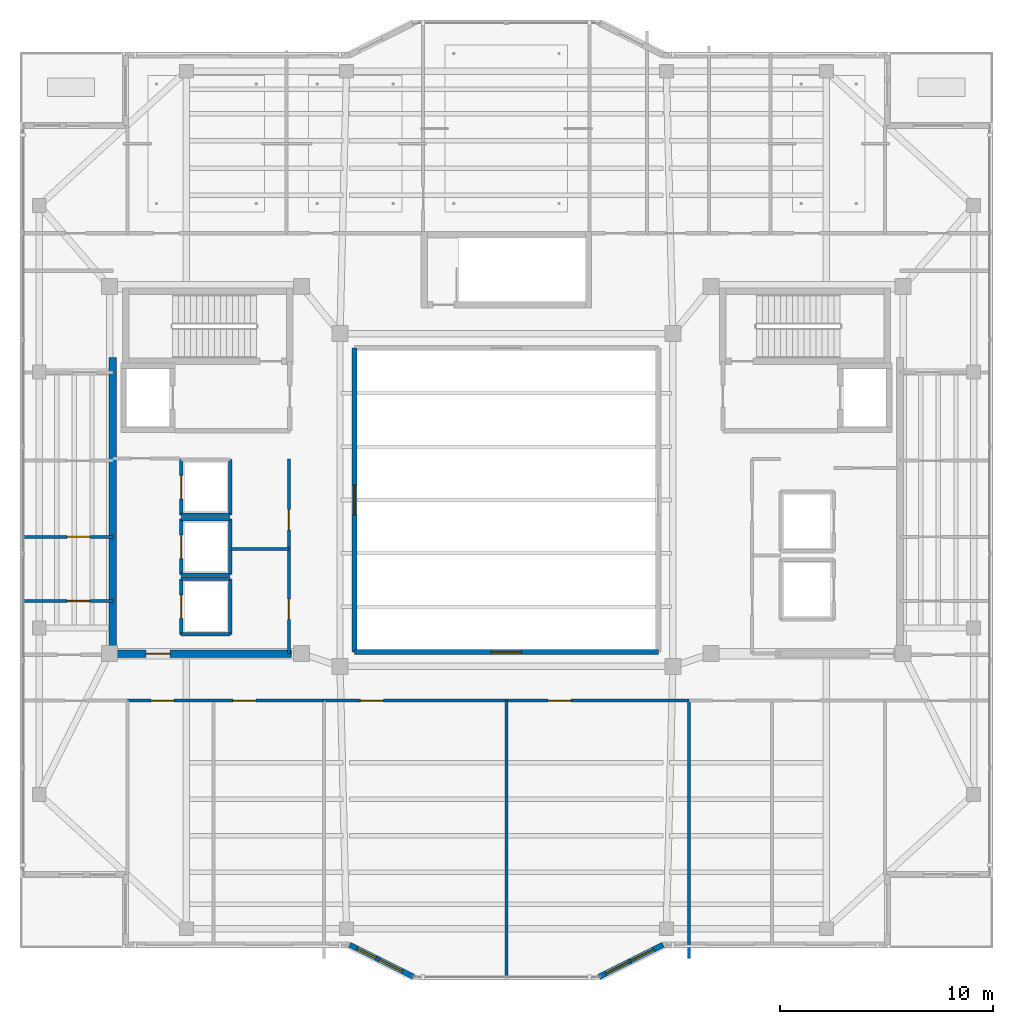
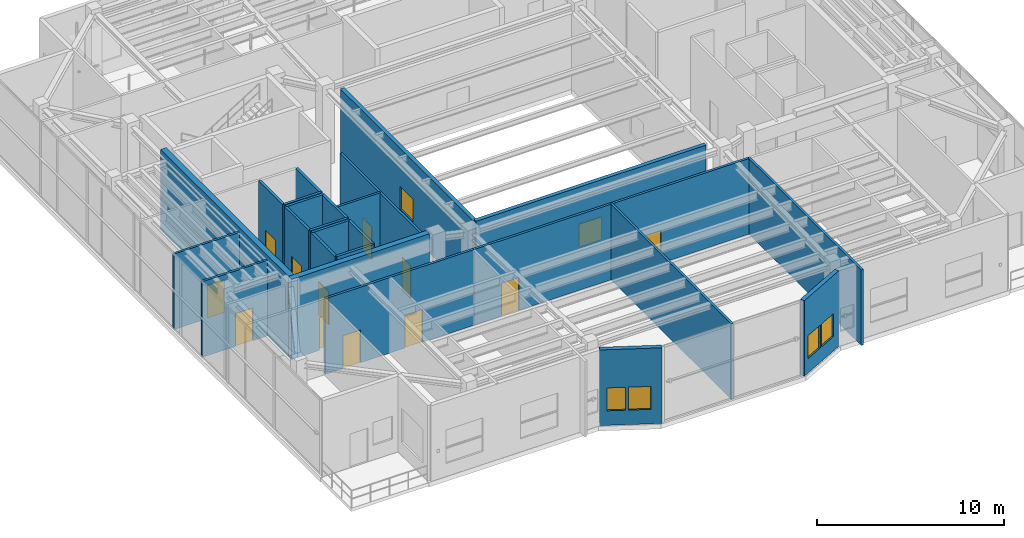
# One storey, part 14 of 23: 25 walls, 12 doors, 6 windows, 18 openings.
"""IFC4 building model written with IfcOpenShell, lengths in metres."""

from ifc_helpers import new_model, si_unit, direction, frame, frame_2d, origin, place, context, subcontext, project, spatial, rectangle, extrude, material, layer, layer_set, type_object, element, fill, save


model = new_model("IFC4")

# Units and contexts
model_context = context("Model", 3, precision=1e-05, world=origin(), true_north=direction((0.0, 1.0)))
body_context = subcontext(model_context, "Body", "Model", "MODEL_VIEW")
ifc_project = project(units=[si_unit("LENGTHUNIT", "METRE"), si_unit("AREAUNIT", "SQUARE_METRE"), si_unit("VOLUMEUNIT", "CUBIC_METRE"), si_unit("PLANEANGLEUNIT", "RADIAN"), si_unit("MASSUNIT", "GRAM", prefix="KILO")], contexts=[model_context])

# Site, building, storey
site_placement = place(None, origin())
site = spatial("IfcSite", under=ifc_project, at=site_placement, CompositionType="ELEMENT")
building_placement = place(site_placement, origin())
building = spatial("IfcBuilding", under=site, at=building_placement, Name="Tarnavaz Court Tower", CompositionType="ELEMENT")
storey_placement = place(building_placement, frame((0.0, 0.0, 276.300048828125)))
storey = spatial("IfcBuildingStorey", under=building, at=storey_placement, Name="L75", CompositionType="ELEMENT", Elevation=276.300048828125)

# Wall
ifc_material_1 = material(Name="Concrete C50/60", Category="concrete")
ifc_layer_1 = layer(ifc_material_1, 0.35009765625)
ifc_layer_set_1 = layer_set([ifc_layer_1], Name="Concrete C50/60")
wall_type_1 = type_object("IfcWallType", Name="WL-CORE-350-C50", PredefinedType="SHEAR", material=ifc_layer_set_1)
wall_1_placement = place(storey_placement, frame((-18.449951171875, -7.375, 0.0), z_axis=(0.0, 0.0, 1.0), x_axis=(0.0, 1.0, 0.0)))
element("IfcWall", 1, at=wall_1_placement, inside=storey, type_object=wall_type_1, Name="L75 West Core Shear Wall 045", PredefinedType="SHEAR", context=body_context, shape_type="SweptSolid", body=[
    extrude(rectangle(XDim=14.050048828125, YDim=0.35009765625, at=frame_2d((7.02490234375, 0.0))), origin(), (0.0, 0.0, 1.0), 5.25),
])

# Wall, opening, door
wall_2_placement = place(storey_placement, frame((-18.625, -7.199951171875, 0.0), z_axis=(0.0, 0.0, 1.0), x_axis=(1.0, 0.0, 0.0)))
wall_2 = element("IfcWall", 2, at=wall_2_placement, inside=storey, type_object=wall_type_1, Name="L75 West Core South Shear Wall 046", PredefinedType="SHEAR", context=body_context, shape_type="SweptSolid", body=[
    extrude(rectangle(XDim=8.550048828125, YDim=0.35009765625, at=frame_2d((4.27490234375, 0.0))), origin(), (0.0, 0.0, 1.0), 5.25),
])
opening_1_placement = place(wall_2_placement, frame((1.72509765625, 0.0, 0.0)))
opening_1 = element("IfcOpeningElement", 3, at=opening_1_placement, cuts=wall_2, Name="Opening D04", PredefinedType="OPENING", context=body_context, shape_type="SweptSolid", body=[
    extrude(rectangle(XDim=1.1201171875, YDim=2.14990234375, at=frame_2d((0.56005859375, 1.074951171875))), frame((0.0, 0.18505859375, 0.0), z_axis=(0.0, -1.0, 0.0), x_axis=(1.0, 0.0, 0.0)), (0.0, 0.0, 1.0), 0.3701171875),
])
ifc_material_2 = material(Name="Fire-Rated Hardwood Timber Core", Category="wood")
door_type_1 = type_object("IfcDoorType", Name="DR-FD60-1100", OperationType="NOTDEFINED", PredefinedType="DOOR", material=ifc_material_2)
door_1_placement = place(opening_1_placement, origin())
door_1 = element("IfcDoor", 4, at=door_1_placement, inside=storey, type_object=door_type_1, Name="L75 West High-Rise Lift Lobby Door", OperationType="SINGLE_SWING_LEFT", OverallHeight=2.14990234375, OverallWidth=1.1201171875, PredefinedType="DOOR", context=body_context, shape_type="SweptSolid", body=[
    extrude(rectangle(XDim=1.1201171875, YDim=2.14990234375, at=frame_2d((0.56005859375, 1.074951171875))), frame((0.0, 0.02490234375, 0.0), z_axis=(0.0, -1.0, 0.0), x_axis=(1.0, 0.0, 0.0)), (0.0, 0.0, 1.0), 0.050048828125),
])
fill(opening_1, door_1)

# Wall, openings, windows
ifc_material_3 = material(Name="Precast Concrete C40/50", Category="concrete")
ifc_layer_2 = layer(ifc_material_3, 0.260009765625)
ifc_layer_set_2 = layer_set([ifc_layer_2], Name="Precast Concrete C40/50")
wall_type_2 = type_object("IfcWallType", Name="WL-EXT-260", PredefinedType="SOLIDWALL", material=ifc_layer_set_2)
wall_3_placement = place(storey_placement, frame((7.35009765625, -20.85009765625, 0.0), z_axis=(0.0, 0.0, 1.0), x_axis=(-0.894427191, -0.4472135955, 0.0)))
wall_3 = element("IfcWall", 5, at=wall_3_placement, inside=storey, type_object=wall_type_2, Name="L75 Exterior Terracotta Facade Wall 16", PredefinedType="SOLIDWALL", context=body_context, shape_type="SweptSolid", body=[
    extrude(rectangle(XDim=3.35400390625, YDim=0.260009765625, at=frame_2d((1.677001953125, 0.0))), origin(), (0.0, 0.0, 1.0), 4.949951171875),
])
opening_2_placement = place(wall_3_placement, frame((0.501220703125, 0.0, 0.949951171875)))
opening_2 = element("IfcOpeningElement", 6, at=opening_2_placement, cuts=wall_3, Name="Opening W05", PredefinedType="OPENING", context=body_context, shape_type="SweptSolid", body=[
    extrude(rectangle(XDim=1.199951171875, YDim=1.5, at=frame_2d((0.60009765625, 0.75))), frame((0.0, 0.139892578125, 0.0), z_axis=(0.0, -1.0, 0.0), x_axis=(1.0, 0.0, 0.0)), (0.0, 0.0, 1.0), 0.280029296875),
])
opening_3_placement = place(wall_3_placement, frame((1.8076171875, 0.0, 0.949951171875)))
opening_3 = element("IfcOpeningElement", 7, at=opening_3_placement, cuts=wall_3, Name="Opening W05", PredefinedType="OPENING", context=body_context, shape_type="SweptSolid", body=[
    extrude(rectangle(XDim=1.199951171875, YDim=1.5, at=frame_2d((0.60009765625, 0.75))), frame((0.0, 0.139892578125, 0.0), z_axis=(0.0, -1.0, 0.0), x_axis=(1.0, 0.0, 0.0)), (0.0, 0.0, 1.0), 0.280029296875),
])
ifc_material_4 = material(Name="Double-Glazed Solar Low-E Glass", Category="glass")
window_type_1 = type_object("IfcWindowType", Name="WN-APT-1200", PartitioningType="SINGLE_PANEL", PredefinedType="WINDOW", material=ifc_material_4)
window_1_placement = place(opening_2_placement, origin())
window_1 = element("IfcWindow", 8, at=window_1_placement, inside=storey, type_object=window_type_1, Name="L75 L75 South-East Music and Arts Studio Window", OverallHeight=1.5, OverallWidth=1.199951171875, PartitioningType="SINGLE_PANEL", PredefinedType="WINDOW", context=body_context, shape_type="SweptSolid", body=[
    extrude(rectangle(XDim=1.199951171875, YDim=1.5, at=frame_2d((0.60009765625, 0.75))), frame((0.0, 0.030029296875, 0.0), z_axis=(0.0, -1.0, 0.0), x_axis=(1.0, 0.0, 0.0)), (0.0, 0.0, 1.0), 0.06005859375),
])
fill(opening_2, window_1)
window_2_placement = place(opening_3_placement, origin())
window_2 = element("IfcWindow", 9, at=window_2_placement, inside=storey, type_object=window_type_1, Name="L75 L75 South Iwan Lookout Prow Window", OverallHeight=1.5, OverallWidth=1.199951171875, PartitioningType="SINGLE_PANEL", PredefinedType="WINDOW", context=body_context, shape_type="SweptSolid", body=[
    extrude(rectangle(XDim=1.199951171875, YDim=1.5, at=frame_2d((0.60009765625, 0.75))), frame((0.0, 0.030029296875, 0.0), z_axis=(0.0, -1.0, 0.0), x_axis=(1.0, 0.0, 0.0)), (0.0, 0.0, 1.0), 0.06005859375),
])
fill(opening_3, window_2)

wall_4_placement = place(storey_placement, frame((-4.35009765625, -22.35009765625, 0.0), z_axis=(0.0, 0.0, 1.0), x_axis=(-0.894427191, 0.4472135955, 0.0)))
wall_4 = element("IfcWall", 10, at=wall_4_placement, inside=storey, type_object=wall_type_2, Name="L75 Exterior Terracotta Facade Wall 18", PredefinedType="SOLIDWALL", context=body_context, shape_type="SweptSolid", body=[
    extrude(rectangle(XDim=3.35400390625, YDim=0.260009765625, at=frame_2d((1.677001953125, 0.0))), origin(), (0.0, 0.0, 1.0), 4.949951171875),
])
opening_4_placement = place(wall_4_placement, frame((0.596435546875, 0.0, 0.949951171875)))
opening_4 = element("IfcOpeningElement", 11, at=opening_4_placement, cuts=wall_4, Name="Opening W05", PredefinedType="OPENING", context=body_context, shape_type="SweptSolid", body=[
    extrude(rectangle(XDim=1.199951171875, YDim=1.5, at=frame_2d((0.60009765625, 0.75))), frame((0.0, 0.139892578125, 0.0), z_axis=(0.0, -1.0, 0.0), x_axis=(1.0, 0.0, 0.0)), (0.0, 0.0, 1.0), 0.280029296875),
])
opening_5_placement = place(wall_4_placement, frame((1.955322265625, 0.0, 0.949951171875)))
opening_5 = element("IfcOpeningElement", 12, at=opening_5_placement, cuts=wall_4, Name="Opening W14", PredefinedType="OPENING", context=body_context, shape_type="SweptSolid", body=[
    extrude(rectangle(XDim=1.0, YDim=1.5, at=frame_2d((0.5, 0.75))), frame((0.0, 0.139892578125, 0.0), z_axis=(0.0, -1.0, 0.0), x_axis=(1.0, 0.0, 0.0)), (0.0, 0.0, 1.0), 0.280029296875),
])
window_type_2 = type_object("IfcWindowType", Name="WN-APT-1000", PartitioningType="SINGLE_PANEL", PredefinedType="WINDOW", material=ifc_material_4)
window_3_placement = place(opening_5_placement, origin())
window_3 = element("IfcWindow", 13, at=window_3_placement, inside=storey, type_object=window_type_2, Name="L75 L75 South-West Cultural Classroom Window", OverallHeight=1.5, OverallWidth=1.0, PartitioningType="SINGLE_PANEL", PredefinedType="WINDOW", context=body_context, shape_type="SweptSolid", body=[
    extrude(rectangle(XDim=1.0, YDim=1.5, at=frame_2d((0.5, 0.75))), frame((0.0, 0.030029296875, 0.0), z_axis=(0.0, -1.0, 0.0), x_axis=(1.0, 0.0, 0.0)), (0.0, 0.0, 1.0), 0.06005859375),
])
fill(opening_5, window_3)
window_4_placement = place(opening_4_placement, origin())
window_4 = element("IfcWindow", 14, at=window_4_placement, inside=storey, type_object=window_type_1, Name="L75 L75 South Iwan Lookout Prow Window", OverallHeight=1.5, OverallWidth=1.199951171875, PartitioningType="SINGLE_PANEL", PredefinedType="WINDOW", context=body_context, shape_type="SweptSolid", body=[
    extrude(rectangle(XDim=1.199951171875, YDim=1.5, at=frame_2d((0.60009765625, 0.75))), frame((0.0, 0.030029296875, 0.0), z_axis=(0.0, -1.0, 0.0), x_axis=(1.0, 0.0, 0.0)), (0.0, 0.0, 1.0), 0.06005859375),
])
fill(opening_4, window_4)

# Wall, openings, doors
ifc_material_5 = material(Name="Gypsum Fire-Board on Acoustic Metal Stud", Category="masonry")
ifc_layer_3 = layer(ifc_material_5, 0.14990234375)
ifc_layer_set_3 = layer_set([ifc_layer_3], Name="Gypsum Fire-Board on Acoustic Metal Stud")
wall_type_3 = type_object("IfcWallType", Name="WL-FIRE-150", PredefinedType="PARTITIONING", material=ifc_layer_set_3)
wall_5_placement = place(storey_placement, frame((-17.75, -9.39990234375, 0.0), z_axis=(0.0, 0.0, 1.0), x_axis=(1.0, 0.0, 0.0)))
wall_5 = element("IfcWall", 15, at=wall_5_placement, inside=storey, type_object=wall_type_3, Name="L75 SW Lobby Wall 059", PredefinedType="PARTITIONING", context=body_context, shape_type="SweptSolid", body=[
    extrude(rectangle(XDim=9.199951171875, YDim=0.14990234375, at=frame_2d((4.60009765625, 0.0))), origin(), (0.0, 0.0, 1.0), 4.949951171875),
])
opening_6_placement = place(wall_5_placement, frame((1.10009765625, 0.0, 0.0)))
opening_6 = element("IfcOpeningElement", 16, at=opening_6_placement, cuts=wall_5, Name="Opening D12", PredefinedType="OPENING", context=body_context, shape_type="SweptSolid", body=[
    extrude(rectangle(XDim=1.080078125, YDim=2.14990234375, at=frame_2d((0.5400390625, 1.074951171875))), frame((0.0, 0.0849609375, 0.0), z_axis=(0.0, -1.0, 0.0), x_axis=(1.0, 0.0, 0.0)), (0.0, 0.0, 1.0), 0.169921875),
])
opening_7_placement = place(wall_5_placement, frame((4.926025390625, 0.0, 0.0)))
opening_7 = element("IfcOpeningElement", 17, at=opening_7_placement, cuts=wall_5, Name="Opening D12", PredefinedType="OPENING", context=body_context, shape_type="SweptSolid", body=[
    extrude(rectangle(XDim=1.080078125, YDim=2.14990234375, at=frame_2d((0.5400390625, 1.074951171875))), frame((0.0, 0.0849609375, 0.0), z_axis=(0.0, -1.0, 0.0), x_axis=(1.0, 0.0, 0.0)), (0.0, 0.0, 1.0), 0.169921875),
])
ifc_material_6 = material(Name="Engineered Oak Timber", Category="wood")
door_type_2 = type_object("IfcDoorType", Name="DR-INT-1100", OperationType="NOTDEFINED", PredefinedType="DOOR", material=ifc_material_6)
door_2_placement = place(opening_6_placement, origin())
door_2 = element("IfcDoor", 18, at=door_2_placement, inside=storey, type_object=door_type_2, Name="L75 High-Rise Visitor Cafe Door", OperationType="SINGLE_SWING_RIGHT", OverallHeight=2.14990234375, OverallWidth=1.080078125, PredefinedType="DOOR", context=body_context, shape_type="SweptSolid", body=[
    extrude(rectangle(XDim=1.080078125, YDim=2.14990234375, at=frame_2d((0.5400390625, 1.074951171875))), frame((0.0, 0.02490234375, 0.0), z_axis=(0.0, -1.0, 0.0), x_axis=(1.0, 0.0, 0.0)), (0.0, 0.0, 1.0), 0.050048828125),
])
fill(opening_6, door_2)
door_3_placement = place(opening_7_placement, origin())
door_3 = element("IfcDoor", 19, at=door_3_placement, inside=storey, type_object=door_type_2, Name="L75 SW Study Room Door", OperationType="SINGLE_SWING_LEFT", OverallHeight=2.14990234375, OverallWidth=1.080078125, PredefinedType="DOOR", context=body_context, shape_type="SweptSolid", body=[
    extrude(rectangle(XDim=1.080078125, YDim=2.14990234375, at=frame_2d((0.5400390625, 1.074951171875))), frame((0.0, 0.02490234375, 0.0), z_axis=(0.0, -1.0, 0.0), x_axis=(1.0, 0.0, 0.0)), (0.0, 0.0, 1.0), 0.050048828125),
])
fill(opening_7, door_3)

wall_6_placement = place(storey_placement, frame((-8.550048828125, -9.39990234375, 0.0), z_axis=(0.0, 0.0, 1.0), x_axis=(1.0, 0.0, 0.0)))
wall_6 = element("IfcWall", 20, at=wall_6_placement, inside=storey, type_object=wall_type_3, Name="L75 Interior Partition 071", PredefinedType="PARTITIONING", context=body_context, shape_type="SweptSolid", body=[
    extrude(rectangle(XDim=17.10009765625, YDim=0.14990234375, at=frame_2d((8.550048828125, 0.0))), origin(), (0.0, 0.0, 1.0), 4.949951171875),
])
opening_8_placement = place(wall_6_placement, frame((1.699951171875, 0.0, 0.0)))
opening_8 = element("IfcOpeningElement", 21, at=opening_8_placement, cuts=wall_6, Name="Opening D12", PredefinedType="OPENING", context=body_context, shape_type="SweptSolid", body=[
    extrude(rectangle(XDim=1.080078125, YDim=2.14990234375, at=frame_2d((0.5400390625, 1.074951171875))), frame((0.0, 0.0849609375, 0.0), z_axis=(0.0, -1.0, 0.0), x_axis=(1.0, 0.0, 0.0)), (0.0, 0.0, 1.0), 0.169921875),
])
opening_9_placement = place(wall_6_placement, frame((10.5, 0.0, 0.0)))
opening_9 = element("IfcOpeningElement", 22, at=opening_9_placement, cuts=wall_6, Name="Opening D12", PredefinedType="OPENING", context=body_context, shape_type="SweptSolid", body=[
    extrude(rectangle(XDim=1.080078125, YDim=2.14990234375, at=frame_2d((0.5400390625, 1.074951171875))), frame((0.0, 0.0849609375, 0.0), z_axis=(0.0, -1.0, 0.0), x_axis=(1.0, 0.0, 0.0)), (0.0, 0.0, 1.0), 0.169921875),
])
door_4_placement = place(opening_8_placement, origin())
door_4 = element("IfcDoor", 23, at=door_4_placement, inside=storey, type_object=door_type_2, Name="L75 Cultural Classroom Door", OperationType="SINGLE_SWING_RIGHT", OverallHeight=2.14990234375, OverallWidth=1.080078125, PredefinedType="DOOR", context=body_context, shape_type="SweptSolid", body=[
    extrude(rectangle(XDim=1.080078125, YDim=2.14990234375, at=frame_2d((0.5400390625, 1.074951171875))), frame((0.0, 0.02490234375, 0.0), z_axis=(0.0, -1.0, 0.0), x_axis=(1.0, 0.0, 0.0)), (0.0, 0.0, 1.0), 0.050048828125),
])
fill(opening_8, door_4)
door_5_placement = place(opening_9_placement, origin())
door_5 = element("IfcDoor", 24, at=door_5_placement, inside=storey, type_object=door_type_2, Name="L75 Arts Studio Door", OperationType="SINGLE_SWING_LEFT", OverallHeight=2.14990234375, OverallWidth=1.080078125, PredefinedType="DOOR", context=body_context, shape_type="SweptSolid", body=[
    extrude(rectangle(XDim=1.080078125, YDim=2.14990234375, at=frame_2d((0.5400390625, 1.074951171875))), frame((0.0, 0.02490234375, 0.0), z_axis=(0.0, -1.0, 0.0), x_axis=(1.0, 0.0, 0.0)), (0.0, 0.0, 1.0), 0.050048828125),
])
fill(opening_9, door_5)

ifc_material_7 = material(Name="Gypsum Plasterboard Acoustic Partition", Category="masonry")
ifc_layer_4 = layer(ifc_material_7, 0.139892578125)
ifc_layer_set_4 = layer_set([ifc_layer_4], Name="Gypsum Plasterboard Acoustic Partition")
wall_type_4 = type_object("IfcWallType", Name="WL-PART-150", PredefinedType="PARTITIONING", material=ifc_layer_set_4)
wall_7_placement = place(storey_placement, frame((-10.199951171875, -7.199951171875, 0.0), z_axis=(0.0, 0.0, 1.0), x_axis=(0.0, 1.0, 0.0)))
wall_7 = element("IfcWall", 25, at=wall_7_placement, inside=storey, type_object=wall_type_4, Name="L75 West Reclaimed Core Wall 050", PredefinedType="PARTITIONING", context=body_context, shape_type="SweptSolid", body=[
    extrude(rectangle(XDim=9.119873046875, YDim=0.139892578125, at=frame_2d((4.56005859375, 0.0))), origin(), (0.0, 0.0, 1.0), 4.949951171875),
])
opening_10_placement = place(wall_7_placement, frame((1.60009765625, 0.0, 0.0)))
opening_10 = element("IfcOpeningElement", 26, at=opening_10_placement, cuts=wall_7, Name="Opening D08", PredefinedType="OPENING", context=body_context, shape_type="SweptSolid", body=[
    extrude(rectangle(XDim=0.949951171875, YDim=2.1201171875, at=frame_2d((0.47509765625, 1.06005859375))), frame((0.0, 0.079833984375, 0.0), z_axis=(0.0, -1.0, 0.0), x_axis=(1.0, 0.0, 0.0)), (0.0, 0.0, 1.0), 0.159912109375),
])
opening_11_placement = place(wall_7_placement, frame((5.800048828125, 0.0, 0.0)))
opening_11 = element("IfcOpeningElement", 27, at=opening_11_placement, cuts=wall_7, Name="Opening D08", PredefinedType="OPENING", context=body_context, shape_type="SweptSolid", body=[
    extrude(rectangle(XDim=0.949951171875, YDim=2.1201171875, at=frame_2d((0.47509765625, 1.06005859375))), frame((0.0, 0.079833984375, 0.0), z_axis=(0.0, -1.0, 0.0), x_axis=(1.0, 0.0, 0.0)), (0.0, 0.0, 1.0), 0.159912109375),
])
door_type_3 = type_object("IfcDoorType", Name="DR-FD30-950", OperationType="NOTDEFINED", PredefinedType="DOOR", material=ifc_material_2)
door_6_placement = place(opening_10_placement, origin())
door_6 = element("IfcDoor", 28, at=door_6_placement, inside=storey, type_object=door_type_3, Name="L75 West Study Room Door", OperationType="SINGLE_SWING_LEFT", OverallHeight=2.1201171875, OverallWidth=0.949951171875, PredefinedType="DOOR", context=body_context, shape_type="SweptSolid", body=[
    extrude(rectangle(XDim=0.949951171875, YDim=2.1201171875, at=frame_2d((0.47509765625, 1.06005859375))), frame((0.0, 0.02490234375, 0.0), z_axis=(0.0, -1.0, 0.0), x_axis=(1.0, 0.0, 0.0)), (0.0, 0.0, 1.0), 0.050048828125),
])
fill(opening_10, door_6)
door_7_placement = place(opening_11_placement, origin())
door_7 = element("IfcDoor", 29, at=door_7_placement, inside=storey, type_object=door_type_3, Name="L75 West Laundry Room Door", OperationType="SINGLE_SWING_RIGHT", OverallHeight=2.1201171875, OverallWidth=0.949951171875, PredefinedType="DOOR", context=body_context, shape_type="SweptSolid", body=[
    extrude(rectangle(XDim=0.949951171875, YDim=2.1201171875, at=frame_2d((0.47509765625, 1.06005859375))), frame((0.0, 0.02490234375, 0.0), z_axis=(0.0, -1.0, 0.0), x_axis=(1.0, 0.0, 0.0)), (0.0, 0.0, 1.0), 0.050048828125),
])
fill(opening_11, door_7)

# Walls
wall_8_placement = place(storey_placement, frame((-12.89990234375, -2.300048828125, 0.0), z_axis=(0.0, 0.0, 1.0), x_axis=(1.0, 0.0, 0.0)))
element("IfcWall", 30, at=wall_8_placement, inside=storey, type_object=wall_type_4, Name="L75 Interior Partition 051", PredefinedType="PARTITIONING", context=body_context, shape_type="SweptSolid", body=[
    extrude(rectangle(XDim=2.699951171875, YDim=0.139892578125, at=frame_2d((1.35009765625, 0.0))), origin(), (0.0, 0.0, 1.0), 4.949951171875),
])
wall_9_placement = place(storey_placement, frame((8.550048828125, -21.50390625, 0.0), z_axis=(0.0, 0.0, 1.0), x_axis=(0.0, 1.0, 0.0)))
element("IfcWall", 31, at=wall_9_placement, inside=storey, type_object=wall_type_4, Name="L75 Interior Partition 069", PredefinedType="PARTITIONING", context=body_context, shape_type="SweptSolid", body=[
    extrude(rectangle(XDim=12.10400390625, YDim=0.139892578125, at=frame_2d((6.052001953125, 0.0))), origin(), (0.0, 0.0, 1.0), 4.949951171875),
])
wall_10_placement = place(storey_placement, frame((0.0, -22.3798828125, 0.0), z_axis=(0.0, 0.0, 1.0), x_axis=(0.0, 1.0, 0.0)))
element("IfcWall", 32, at=wall_10_placement, inside=storey, type_object=wall_type_4, Name="L75 Interior Partition 072", PredefinedType="PARTITIONING", context=body_context, shape_type="SweptSolid", body=[
    extrude(rectangle(XDim=12.97998046875, YDim=0.139892578125, at=frame_2d((6.489990234375, 0.0))), origin(), (0.0, 0.0, 1.0), 4.949951171875),
])

# Wall, opening, door
wall_11_placement = place(storey_placement, frame((-22.679931640625, -4.73291015625, 0.0), z_axis=(0.0, 0.0, 1.0), x_axis=(1.0, 0.0, 0.0)))
wall_11 = element("IfcWall", 33, at=wall_11_placement, inside=storey, type_object=wall_type_4, Name="L75 Interior Partition 085", PredefinedType="PARTITIONING", context=body_context, shape_type="SweptSolid", body=[
    extrude(rectangle(XDim=4.22998046875, YDim=0.139892578125, at=frame_2d((2.114990234375, 0.0))), origin(), (0.0, 0.0, 1.0), 4.949951171875),
])
opening_12_placement = place(wall_11_placement, frame((2.080078125, 0.0, 0.0)))
opening_12 = element("IfcOpeningElement", 34, at=opening_12_placement, cuts=wall_11, Name="Opening D12", PredefinedType="OPENING", context=body_context, shape_type="SweptSolid", body=[
    extrude(rectangle(XDim=1.080078125, YDim=2.14990234375, at=frame_2d((0.5400390625, 1.074951171875))), frame((0.0, 0.079833984375, 0.0), z_axis=(0.0, -1.0, 0.0), x_axis=(1.0, 0.0, 0.0)), (0.0, 0.0, 1.0), 0.159912109375),
])
door_8_placement = place(opening_12_placement, origin())
door_8 = element("IfcDoor", 35, at=door_8_placement, inside=storey, type_object=door_type_2, Name="L75 West Suite Room 2 Door", OperationType="SINGLE_SWING_LEFT", OverallHeight=2.14990234375, OverallWidth=1.080078125, PredefinedType="DOOR", context=body_context, shape_type="SweptSolid", body=[
    extrude(rectangle(XDim=1.080078125, YDim=2.14990234375, at=frame_2d((0.5400390625, 1.074951171875))), frame((0.0, 0.02490234375, 0.0), z_axis=(0.0, -1.0, 0.0), x_axis=(1.0, 0.0, 0.0)), (0.0, 0.0, 1.0), 0.050048828125),
])
fill(opening_12, door_8)

wall_12_placement = place(storey_placement, frame((-22.679931640625, -1.72412109375, 0.0), z_axis=(0.0, 0.0, 1.0), x_axis=(1.0, 0.0, 0.0)))
wall_12 = element("IfcWall", 36, at=wall_12_placement, inside=storey, type_object=wall_type_4, Name="L75 Interior Partition 086", PredefinedType="PARTITIONING", context=body_context, shape_type="SweptSolid", body=[
    extrude(rectangle(XDim=4.22998046875, YDim=0.139892578125, at=frame_2d((2.114990234375, 0.0))), origin(), (0.0, 0.0, 1.0), 4.949951171875),
])
opening_13_placement = place(wall_12_placement, frame((2.080078125, 0.0, 0.0)))
opening_13 = element("IfcOpeningElement", 37, at=opening_13_placement, cuts=wall_12, Name="Opening D12", PredefinedType="OPENING", context=body_context, shape_type="SweptSolid", body=[
    extrude(rectangle(XDim=1.080078125, YDim=2.14990234375, at=frame_2d((0.5400390625, 1.074951171875))), frame((0.0, 0.079833984375, 0.0), z_axis=(0.0, -1.0, 0.0), x_axis=(1.0, 0.0, 0.0)), (0.0, 0.0, 1.0), 0.159912109375),
])
door_9_placement = place(opening_13_placement, origin())
door_9 = element("IfcDoor", 38, at=door_9_placement, inside=storey, type_object=door_type_2, Name="L75 West Suite Room 3 Door", OperationType="SINGLE_SWING_RIGHT", OverallHeight=2.14990234375, OverallWidth=1.080078125, PredefinedType="DOOR", context=body_context, shape_type="SweptSolid", body=[
    extrude(rectangle(XDim=1.080078125, YDim=2.14990234375, at=frame_2d((0.5400390625, 1.074951171875))), frame((0.0, 0.02490234375, 0.0), z_axis=(0.0, -1.0, 0.0), x_axis=(1.0, 0.0, 0.0)), (0.0, 0.0, 1.0), 0.050048828125),
])
fill(opening_13, door_9)

ifc_material_8 = material(Name="Autoclaved Aerated Concrete Blockwork", Category="masonry")
ifc_layer_5 = layer(ifc_material_8, 0.159912109375)
ifc_layer_set_5 = layer_set([ifc_layer_5], Name="Autoclaved Aerated Concrete Blockwork")
wall_type_5 = type_object("IfcWallType", Name="WL-SHAFT-150", PredefinedType="SOLIDWALL", material=ifc_layer_set_5)
wall_13_placement = place(storey_placement, frame((-15.25, -6.300048828125, 0.0), z_axis=(0.0, 0.0, 1.0), x_axis=(0.0, 1.0, 0.0)))
wall_13 = element("IfcWall", 39, at=wall_13_placement, inside=storey, type_object=wall_type_5, Name="L75 Lift PL-H1 Shaft Wall 021", PredefinedType="SOLIDWALL", context=body_context, shape_type="SweptSolid", body=[
    extrude(rectangle(XDim=2.60009765625, YDim=0.159912109375, at=frame_2d((1.300048828125, 0.0))), origin(), (0.0, 0.0, 1.0), 4.949951171875),
])
opening_14_placement = place(wall_13_placement, frame((0.75, 0.0, 0.0)))
opening_14 = element("IfcOpeningElement", 40, at=opening_14_placement, cuts=wall_13, Name="Opening LD1", PredefinedType="OPENING", context=body_context, shape_type="SweptSolid", body=[
    extrude(rectangle(XDim=1.10009765625, YDim=2.14990234375, at=frame_2d((0.550048828125, 1.074951171875))), frame((0.0, 0.08984375, 0.0), z_axis=(0.0, -1.0, 0.0), x_axis=(1.0, 0.0, 0.0)), (0.0, 0.0, 1.0), 0.179931640625),
])
ifc_material_9 = material(Name="Stainless Steel", Category="steel")
door_type_4 = type_object("IfcDoorType", Name="DR-LD-1100", OperationType="NOTDEFINED", PredefinedType="DOOR", material=ifc_material_9)
door_10_placement = place(opening_14_placement, origin())
door_10 = element("IfcDoor", 41, at=door_10_placement, inside=storey, type_object=door_type_4, Name="L75 Lift Landing Door LD-PL-H1", OperationType="SLIDING_TO_LEFT", OverallHeight=2.14990234375, OverallWidth=1.10009765625, PredefinedType="DOOR", context=body_context, shape_type="SweptSolid", body=[
    extrude(rectangle(XDim=1.10009765625, YDim=2.14990234375, at=frame_2d((0.550048828125, 1.074951171875))), frame((0.0, 0.02490234375, 0.0), z_axis=(0.0, -1.0, 0.0), x_axis=(1.0, 0.0, 0.0)), (0.0, 0.0, 1.0), 0.050048828125),
])
fill(opening_14, door_10)

# Walls
wall_14_placement = place(storey_placement, frame((-12.949951171875, -6.300048828125, 0.0), z_axis=(0.0, 0.0, 1.0), x_axis=(0.0, 1.0, 0.0)))
element("IfcWall", 42, at=wall_14_placement, inside=storey, type_object=wall_type_5, Name="L75 Lift PL-H1 Shaft Wall 022", PredefinedType="SOLIDWALL", context=body_context, shape_type="SweptSolid", body=[
    extrude(rectangle(XDim=2.60009765625, YDim=0.159912109375, at=frame_2d((1.300048828125, 0.0))), origin(), (0.0, 0.0, 1.0), 4.949951171875),
])
for number, where, z_axis, x_axis, name in (
    (43, (-15.25, -6.300048828125, 0.0), (0.0, 0.0, 1.0), (1.0, 0.0, 0.0), "L75 Lift PL-H1 Shaft Wall 023"),
    (44, (-15.25, -3.699951171875, 0.0), (0.0, 0.0, 1.0), (1.0, 0.0, 0.0), "L75 Lift PL-H1 Shaft Wall 024"),
):
    element("IfcWall", number, at=place(storey_placement, frame(where, z_axis=z_axis, x_axis=x_axis)), inside=storey, type_object=wall_type_5, Name=name, PredefinedType="SOLIDWALL", context=body_context, shape_type="SweptSolid", body=[
        extrude(rectangle(XDim=2.300048828125, YDim=0.159912109375, at=frame_2d((1.14990234375, 0.0))), origin(), (0.0, 0.0, 1.0), 4.949951171875),
    ])

# Wall, opening, door
wall_15_placement = place(storey_placement, frame((-15.25, -3.5, 0.0), z_axis=(0.0, 0.0, 1.0), x_axis=(0.0, 1.0, 0.0)))
wall_15 = element("IfcWall", 45, at=wall_15_placement, inside=storey, type_object=wall_type_5, Name="L75 Lift PL-H2 Shaft Wall 025", PredefinedType="SOLIDWALL", context=body_context, shape_type="SweptSolid", body=[
    extrude(rectangle(XDim=2.60009765625, YDim=0.159912109375, at=frame_2d((1.300048828125, 0.0))), origin(), (0.0, 0.0, 1.0), 4.949951171875),
])
opening_15_placement = place(wall_15_placement, frame((0.75, 0.0, 0.0)))
opening_15 = element("IfcOpeningElement", 46, at=opening_15_placement, cuts=wall_15, Name="Opening LD1", PredefinedType="OPENING", context=body_context, shape_type="SweptSolid", body=[
    extrude(rectangle(XDim=1.10009765625, YDim=2.14990234375, at=frame_2d((0.550048828125, 1.074951171875))), frame((0.0, 0.08984375, 0.0), z_axis=(0.0, -1.0, 0.0), x_axis=(1.0, 0.0, 0.0)), (0.0, 0.0, 1.0), 0.179931640625),
])
door_11_placement = place(opening_15_placement, origin())
door_11 = element("IfcDoor", 47, at=door_11_placement, inside=storey, type_object=door_type_4, Name="L75 Lift Landing Door LD-PL-H2", OperationType="SLIDING_TO_LEFT", OverallHeight=2.14990234375, OverallWidth=1.10009765625, PredefinedType="DOOR", context=body_context, shape_type="SweptSolid", body=[
    extrude(rectangle(XDim=1.10009765625, YDim=2.14990234375, at=frame_2d((0.550048828125, 1.074951171875))), frame((0.0, 0.02490234375, 0.0), z_axis=(0.0, -1.0, 0.0), x_axis=(1.0, 0.0, 0.0)), (0.0, 0.0, 1.0), 0.050048828125),
])
fill(opening_15, door_11)

# Walls
wall_16_placement = place(storey_placement, frame((-12.949951171875, -3.5, 0.0), z_axis=(0.0, 0.0, 1.0), x_axis=(0.0, 1.0, 0.0)))
element("IfcWall", 48, at=wall_16_placement, inside=storey, type_object=wall_type_5, Name="L75 Lift PL-H2 Shaft Wall 026", PredefinedType="SOLIDWALL", context=body_context, shape_type="SweptSolid", body=[
    extrude(rectangle(XDim=2.60009765625, YDim=0.159912109375, at=frame_2d((1.300048828125, 0.0))), origin(), (0.0, 0.0, 1.0), 4.949951171875),
])
for number, where, z_axis, x_axis, name in (
    (49, (-15.25, -3.5, 0.0), (0.0, 0.0, 1.0), (1.0, 0.0, 0.0), "L75 Lift PL-H2 Shaft Wall 027"),
    (50, (-15.25, -0.89990234375, 0.0), (0.0, 0.0, 1.0), (1.0, 0.0, 0.0), "L75 Lift PL-H2 Shaft Wall 028"),
):
    element("IfcWall", number, at=place(storey_placement, frame(where, z_axis=z_axis, x_axis=x_axis)), inside=storey, type_object=wall_type_5, Name=name, PredefinedType="SOLIDWALL", context=body_context, shape_type="SweptSolid", body=[
        extrude(rectangle(XDim=2.300048828125, YDim=0.159912109375, at=frame_2d((1.14990234375, 0.0))), origin(), (0.0, 0.0, 1.0), 4.949951171875),
    ])

# Wall, opening, door
wall_17_placement = place(storey_placement, frame((-15.25, -0.699951171875, 0.0), z_axis=(0.0, 0.0, 1.0), x_axis=(0.0, 1.0, 0.0)))
wall_17 = element("IfcWall", 51, at=wall_17_placement, inside=storey, type_object=wall_type_5, Name="L75 Lift PL-H3 Shaft Wall 029", PredefinedType="SOLIDWALL", context=body_context, shape_type="SweptSolid", body=[
    extrude(rectangle(XDim=2.599853515625, YDim=0.159912109375, at=frame_2d((1.2998046875, 0.0))), origin(), (0.0, 0.0, 1.0), 4.949951171875),
])
opening_16_placement = place(wall_17_placement, frame((0.75, 0.0, 0.0)))
opening_16 = element("IfcOpeningElement", 52, at=opening_16_placement, cuts=wall_17, Name="Opening LD1", PredefinedType="OPENING", context=body_context, shape_type="SweptSolid", body=[
    extrude(rectangle(XDim=1.10009765625, YDim=2.14990234375, at=frame_2d((0.550048828125, 1.074951171875))), frame((0.0, 0.08984375, 0.0), z_axis=(0.0, -1.0, 0.0), x_axis=(1.0, 0.0, 0.0)), (0.0, 0.0, 1.0), 0.179931640625),
])
door_12_placement = place(opening_16_placement, origin())
door_12 = element("IfcDoor", 53, at=door_12_placement, inside=storey, type_object=door_type_4, Name="L75 Lift Landing Door LD-PL-H3", OperationType="SLIDING_TO_LEFT", OverallHeight=2.14990234375, OverallWidth=1.10009765625, PredefinedType="DOOR", context=body_context, shape_type="SweptSolid", body=[
    extrude(rectangle(XDim=1.10009765625, YDim=2.14990234375, at=frame_2d((0.550048828125, 1.074951171875))), frame((0.0, 0.02490234375, 0.0), z_axis=(0.0, -1.0, 0.0), x_axis=(1.0, 0.0, 0.0)), (0.0, 0.0, 1.0), 0.050048828125),
])
fill(opening_16, door_12)

# Walls
wall_18_placement = place(storey_placement, frame((-12.949951171875, -0.699951171875, 0.0), z_axis=(0.0, 0.0, 1.0), x_axis=(0.0, 1.0, 0.0)))
element("IfcWall", 54, at=wall_18_placement, inside=storey, type_object=wall_type_5, Name="L75 Lift PL-H3 Shaft Wall 030", PredefinedType="SOLIDWALL", context=body_context, shape_type="SweptSolid", body=[
    extrude(rectangle(XDim=2.599853515625, YDim=0.159912109375, at=frame_2d((1.2998046875, 0.0))), origin(), (0.0, 0.0, 1.0), 4.949951171875),
])
wall_19_placement = place(storey_placement, frame((-15.25, -0.699951171875, 0.0), z_axis=(0.0, 0.0, 1.0), x_axis=(1.0, 0.0, 0.0)))
element("IfcWall", 55, at=wall_19_placement, inside=storey, type_object=wall_type_5, Name="L75 Lift PL-H3 Shaft Wall 031", PredefinedType="SOLIDWALL", context=body_context, shape_type="SweptSolid", body=[
    extrude(rectangle(XDim=2.300048828125, YDim=0.159912109375, at=frame_2d((1.14990234375, 0.0))), origin(), (0.0, 0.0, 1.0), 4.949951171875),
])

# Wall, opening, window
ifc_layer_6 = layer(ifc_material_3, 0.239990234375)
ifc_layer_set_6 = layer_set([ifc_layer_6], Name="Precast Concrete C40/50")
wall_type_6 = type_object("IfcWallType", Name="WL-WELL-240", PredefinedType="SOLIDWALL", material=ifc_layer_set_6)
wall_20_placement = place(storey_placement, frame((-7.1201171875, -7.1201171875, 0.0), z_axis=(0.0, 0.0, 1.0), x_axis=(1.0, 0.0, 0.0)))
wall_20 = element("IfcWall", 56, at=wall_20_placement, inside=storey, type_object=wall_type_6, Name="L75 Badgir Light-Well Exterior Wall S", PredefinedType="SOLIDWALL", context=body_context, shape_type="SweptSolid", body=[
    extrude(rectangle(XDim=14.240234375, YDim=0.239990234375, at=frame_2d((7.1201171875, 0.0))), origin(), (0.0, 0.0, 1.0), 4.949951171875),
])
opening_17_placement = place(wall_20_placement, frame((6.419921875, 0.0, 0.949951171875)))
opening_17 = element("IfcOpeningElement", 57, at=opening_17_placement, cuts=wall_20, Name="Opening W13", PredefinedType="OPENING", context=body_context, shape_type="SweptSolid", body=[
    extrude(rectangle(XDim=1.39990234375, YDim=1.5, at=frame_2d((0.699951171875, 0.75))), frame((0.0, 0.1298828125, 0.0), z_axis=(0.0, -1.0, 0.0), x_axis=(1.0, 0.0, 0.0)), (0.0, 0.0, 1.0), 0.260009765625),
])
window_type_3 = type_object("IfcWindowType", Name="WN-WEL-1400", PartitioningType="SINGLE_PANEL", PredefinedType="WINDOW", material=ifc_material_4)
window_5_placement = place(opening_17_placement, origin())
window_5 = element("IfcWindow", 58, at=window_5_placement, inside=storey, type_object=window_type_3, Name="L75 Courtyard Gallery Window S", OverallHeight=1.5, OverallWidth=1.39990234375, PartitioningType="SINGLE_PANEL", PredefinedType="WINDOW", context=body_context, shape_type="SweptSolid", body=[
    extrude(rectangle(XDim=1.39990234375, YDim=1.5, at=frame_2d((0.699951171875, 0.75))), frame((0.0, 0.030029296875, 0.0), z_axis=(0.0, -1.0, 0.0), x_axis=(1.0, 0.0, 0.0)), (0.0, 0.0, 1.0), 0.06005859375),
])
fill(opening_17, window_5)

wall_21_placement = place(storey_placement, frame((-7.1201171875, 7.1201171875, 0.0), z_axis=(0.0, 0.0, 1.0), x_axis=(0.0, -1.0, 0.0)))
wall_21 = element("IfcWall", 59, at=wall_21_placement, inside=storey, type_object=wall_type_6, Name="L75 Badgir Light-Well Exterior Wall W", PredefinedType="SOLIDWALL", context=body_context, shape_type="SweptSolid", body=[
    extrude(rectangle(XDim=14.240234375, YDim=0.239990234375, at=frame_2d((7.1201171875, 0.0))), origin(), (0.0, 0.0, 1.0), 4.949951171875),
])
opening_18_placement = place(wall_21_placement, frame((6.419921875, 0.0, 0.949951171875)))
opening_18 = element("IfcOpeningElement", 60, at=opening_18_placement, cuts=wall_21, Name="Opening W13", PredefinedType="OPENING", context=body_context, shape_type="SweptSolid", body=[
    extrude(rectangle(XDim=1.39990234375, YDim=1.5, at=frame_2d((0.699951171875, 0.75))), frame((0.0, 0.1298828125, 0.0), z_axis=(0.0, -1.0, 0.0), x_axis=(1.0, 0.0, 0.0)), (0.0, 0.0, 1.0), 0.260009765625),
])
window_6_placement = place(opening_18_placement, origin())
window_6 = element("IfcWindow", 61, at=window_6_placement, inside=storey, type_object=window_type_3, Name="L75 Courtyard Gallery Window W", OverallHeight=1.5, OverallWidth=1.39990234375, PartitioningType="SINGLE_PANEL", PredefinedType="WINDOW", context=body_context, shape_type="SweptSolid", body=[
    extrude(rectangle(XDim=1.39990234375, YDim=1.5, at=frame_2d((0.699951171875, 0.75))), frame((0.0, 0.030029296875, 0.0), z_axis=(0.0, -1.0, 0.0), x_axis=(1.0, 0.0, 0.0)), (0.0, 0.0, 1.0), 0.06005859375),
])
fill(opening_18, window_6)

save(model, "model.ifc")
